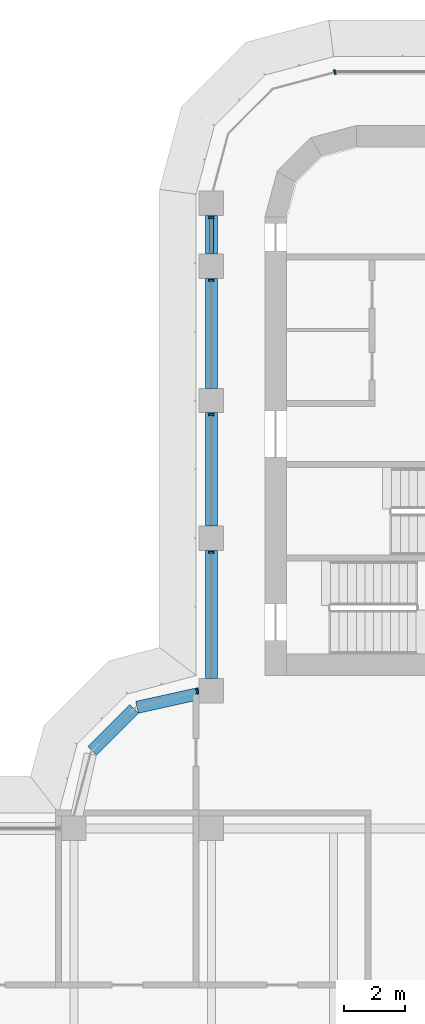
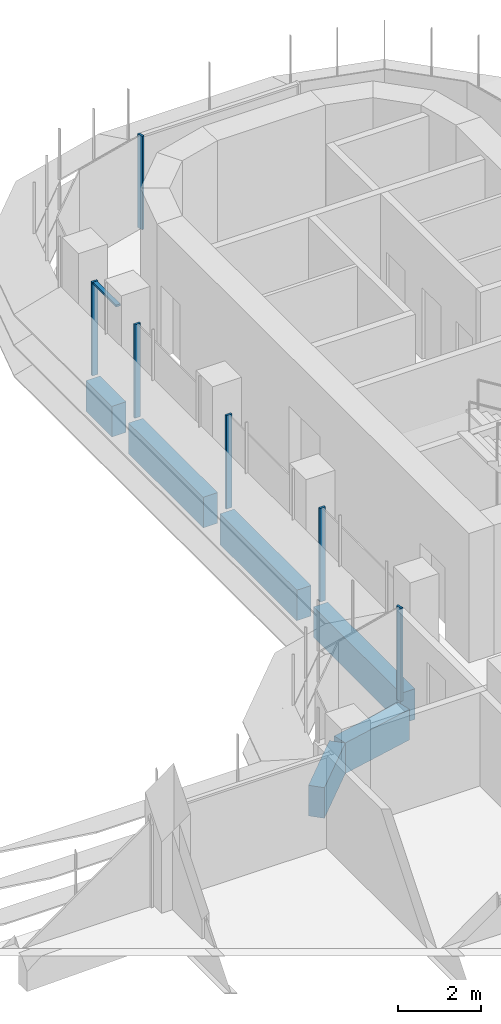
# One storey, part 7 of 20: 7 members, 6 beams, 3 elements without a shape of their own.
"""IFC4 building model written with IfcOpenShell, lengths in metres."""

from ifc_helpers import new_model, si_unit, direction, frame, origin, origin_2d, place, context, subcontext, project, spatial, polyline, rectangle, outline, extrude, source, transform, mapped, material, material_profile, profile_set, type_object, element, aggregate, save


model = new_model("IFC4")

# Units and contexts
model_context = context("Model", 3, precision=1e-05, world=origin(), true_north=direction((0.0, 1.0)))
body_context = subcontext(model_context, "Body", "Model", "MODEL_VIEW")
ifc_project = project(units=[si_unit("LENGTHUNIT", "METRE"), si_unit("AREAUNIT", "SQUARE_METRE"), si_unit("VOLUMEUNIT", "CUBIC_METRE"), si_unit("PLANEANGLEUNIT", "RADIAN"), si_unit("MASSUNIT", "GRAM", prefix="KILO")], contexts=[model_context])

# Site, building, storey
site_placement = place(None, origin())
site = spatial("IfcSite", under=ifc_project, at=site_placement, CompositionType="ELEMENT")
building_placement = place(site_placement, origin())
building = spatial("IfcBuilding", under=site, at=building_placement, Name="Zarbagh Exchange Tower", CompositionType="ELEMENT")
storey_placement = place(building_placement, frame((0.0, 0.0, 186.60009765625)))
storey = spatial("IfcBuildingStorey", under=building, at=storey_placement, Name="L45", CompositionType="ELEMENT", Elevation=186.60009765625)

# Beams
ifc_material_1 = material(Name="Concrete C50/60", Category="concrete")
ifc_material_profile = material_profile(ifc_material_1, rectangle(XDim=0.39990234375, YDim=0.89990234375, at=origin_2d()), Name="RC spandrel beam 400 x 900 C50/60")
ifc_profile_set = profile_set([ifc_material_profile], Name="Concrete C50/60")
beam_type = type_object("IfcBeamType", Name="RC spandrel beam 400 x 900 C50/60", PredefinedType="SPANDREL", material=ifc_profile_set)
beam_1_placement = place(storey_placement, frame((-10.15771484375, 8.782470703125, -0.60009765625), z_axis=(0.707106781187, 0.707106781187, 0.0), x_axis=(-0.707106781187, 0.707106781187, 0.0)))
element("IfcBeam", 1, at=beam_1_placement, inside=storey, type_object=beam_type, Name="RC spandrel beam", PredefinedType="SPANDREL", context=body_context, shape_type="SweptSolid", body=[
    extrude(rectangle(XDim=0.39990234375, YDim=0.89990234375, at=origin_2d()), origin(), (0.0, 0.0, 1.0), 1.94482421875),
])
beam_2_placement = place(storey_placement, frame((-8.68408203125, 10.21142578125, -0.60009765625), z_axis=(0.976384278741, 0.216041061437, 0.0), x_axis=(-0.216041061437, 0.976384278741, 0.0)))
element("IfcBeam", 2, at=beam_2_placement, inside=storey, type_object=beam_type, Name="RC spandrel beam", PredefinedType="SPANDREL", context=body_context, shape_type="SweptSolid", body=[
    extrude(rectangle(XDim=0.39990234375, YDim=0.89990234375, at=origin_2d()), origin(), (0.0, 0.0, 1.0), 2.0927734375),
])
beam_3_placement = place(storey_placement, frame((-6.25, 11.14990234375, -0.60009765625), z_axis=(0.0, 1.0, 0.0), x_axis=(-1.0, 0.0, 0.0)))
element("IfcBeam", 3, at=beam_3_placement, inside=storey, type_object=beam_type, Name="RC spandrel beam", PredefinedType="SPANDREL", context=body_context, shape_type="SweptSolid", body=[
    extrude(rectangle(XDim=0.39990234375, YDim=0.89990234375, at=origin_2d()), origin(), (0.0, 0.0, 1.0), 4.2001953125),
])
beam_4_placement = place(storey_placement, frame((-6.25, 16.14990234375, -0.60009765625), z_axis=(0.0, 1.0, 0.0), x_axis=(-1.0, 0.0, 0.0)))
element("IfcBeam", 4, at=beam_4_placement, inside=storey, type_object=beam_type, Name="RC spandrel beam", PredefinedType="SPANDREL", context=body_context, shape_type="SweptSolid", body=[
    extrude(rectangle(XDim=0.39990234375, YDim=0.89990234375, at=origin_2d()), origin(), (0.0, 0.0, 1.0), 3.7001953125),
])
beam_5_placement = place(storey_placement, frame((-6.25, 20.64990234375, -0.60009765625), z_axis=(0.0, 1.0, 0.0), x_axis=(-1.0, 0.0, 0.0)))
element("IfcBeam", 5, at=beam_5_placement, inside=storey, type_object=beam_type, Name="RC spandrel beam", PredefinedType="SPANDREL", context=body_context, shape_type="SweptSolid", body=[
    extrude(rectangle(XDim=0.39990234375, YDim=0.89990234375, at=origin_2d()), origin(), (0.0, 0.0, 1.0), 3.60009765625),
])
beam_6_placement = place(storey_placement, frame((-6.25, 25.050048828125, -0.60009765625), z_axis=(0.0, 1.0, 0.0), x_axis=(-1.0, 0.0, 0.0)))
element("IfcBeam", 6, at=beam_6_placement, inside=storey, type_object=beam_type, Name="RC spandrel beam", PredefinedType="SPANDREL", context=body_context, shape_type="SweptSolid", body=[
    extrude(rectangle(XDim=0.39990234375, YDim=0.89990234375, at=origin_2d()), origin(), (0.0, 0.0, 1.0), 1.25),
])

# Curtain wall, member
ifc_material_2 = material(Name="Anodised aluminium frame and glazing", Category="aluminium")
curtain_wall_type = type_object("IfcCurtainWallType", Name="CWB Ribbon glazing, upper zones", PredefinedType="NOTDEFINED", material=ifc_material_2)
curtain_wall_1_placement = place(storey_placement, origin())
curtain_wall_1 = element("IfcCurtainWall", 7, at=curtain_wall_1_placement, inside=storey, type_object=curtain_wall_type, Name="CWB25 curtain wall", PredefinedType="NOTDEFINED")
ifc_material_3 = material(Name="Anodised aluminium frame", Category="aluminium")
member_type_1 = type_object("IfcMemberType", Name="MUB Mullion, anodised aluminium frame", PredefinedType="MULLION", material=ifc_material_3)
shared_shape_1 = source(origin(), body_context, "Body", "SweptSolid", [
    extrude(outline(polyline([(0.0, -0.080078125), (0.06005859375, -0.080078125), (0.06005859375, 0.080078125), (0.0, 0.080078125), (0.0, -0.080078125)])), origin(), (0.0, 0.0, 1.0), 2.75),
])
placement = place(storey_placement, origin())
member_1 = element("IfcMember", 8, at=placement, type_object=member_type_1, Name="CWB25 mullion 1.1", PredefinedType="MULLION", context=body_context, shape_type="MappedRepresentation", body=[
    mapped(shared_shape_1, transform((-2.18408203125, 31.0, 0.0), x_axis=(-0.965924289636, -0.258824779902, 0.0), y_axis=(0.258824779902, -0.965924289636, 0.0), z_axis=(0.0, 0.0, 1.0))),
])
aggregate(curtain_wall_1, [member_1])

# Curtain wall, members
curtain_wall_2_placement = place(storey_placement, origin())
curtain_wall_2 = element("IfcCurtainWall", 9, at=curtain_wall_2_placement, inside=storey, type_object=curtain_wall_type, Name="CWB28 curtain wall", PredefinedType="NOTDEFINED")
member_2 = element("IfcMember", 10, at=placement, type_object=member_type_1, Name="CWB28 mullion 1.1", PredefinedType="MULLION", context=body_context, shape_type="MappedRepresentation", body=[
    mapped(shared_shape_1, transform((-6.25, 26.260009765625, 0.0), x_axis=(0.0, -1.0, 0.0), y_axis=(1.0, 0.0, 0.0), z_axis=(0.0, 0.0, 1.0))),
])
member_3 = element("IfcMember", 11, at=placement, type_object=member_type_1, Name="CWB28 mullion 2.1", PredefinedType="MULLION", context=body_context, shape_type="MappedRepresentation", body=[
    mapped(shared_shape_1, transform((-6.25, 24.2099609375, 0.0), x_axis=(0.0, -1.0, 0.0), y_axis=(1.0, 0.0, 0.0), z_axis=(0.0, 0.0, 1.0))),
])
member_4 = element("IfcMember", 12, at=placement, type_object=member_type_1, Name="CWB28 mullion 3.1", PredefinedType="MULLION", context=body_context, shape_type="MappedRepresentation", body=[
    mapped(shared_shape_1, transform((-6.25, 19.81005859375, 0.0), x_axis=(0.0, -1.0, 0.0), y_axis=(1.0, 0.0, 0.0), z_axis=(0.0, 0.0, 1.0))),
])
member_5 = element("IfcMember", 13, at=placement, type_object=member_type_1, Name="CWB28 mullion 4.1", PredefinedType="MULLION", context=body_context, shape_type="MappedRepresentation", body=[
    mapped(shared_shape_1, transform((-6.25, 15.31005859375, 0.0), x_axis=(0.0, -1.0, 0.0), y_axis=(1.0, 0.0, 0.0), z_axis=(0.0, 0.0, 1.0))),
])

# Curtain wall, member
curtain_wall_3_placement = place(storey_placement, origin())
curtain_wall_3 = element("IfcCurtainWall", 14, at=curtain_wall_3_placement, inside=storey, type_object=curtain_wall_type, Name="CWB29 curtain wall", PredefinedType="NOTDEFINED")
member_6 = element("IfcMember", 15, at=placement, type_object=member_type_1, Name="CWB29 mullion 1.1", PredefinedType="MULLION", context=body_context, shape_type="MappedRepresentation", body=[
    mapped(shared_shape_1, transform((-6.68994140625, 10.74853515625, 0.0), x_axis=(-0.965924289636, -0.258824779902, 0.0), y_axis=(0.258824779902, -0.965924289636, 0.0), z_axis=(0.0, 0.0, 1.0))),
])
aggregate(curtain_wall_3, [member_6])

# Member
member_type_2 = type_object("IfcMemberType", Name="TRB Transom, anodised aluminium frame", PredefinedType="USERDEFINED", material=ifc_material_3)
shared_shape_2 = source(origin(), body_context, "Body", "SweptSolid", [
    extrude(outline(polyline([(-0.06005859375, -0.06005859375), (0.0, -0.06005859375), (0.0, 0.06005859375), (-0.06005859375, 0.06005859375), (-0.06005859375, -0.06005859375)])), origin(), (0.0, 0.0, 1.0), 1.110107421875),
])
member_7 = element("IfcMember", 16, at=placement, type_object=member_type_2, Name="CWB28 transom 1.1", ObjectType="TRANSOM", PredefinedType="USERDEFINED", context=body_context, shape_type="MappedRepresentation", body=[
    mapped(shared_shape_2, transform((-6.25, 26.199951171875, 2.75), x_axis=(0.0, 0.0, 1.0), y_axis=(-1.0, 0.0, 0.0), z_axis=(0.0, -1.0, 0.0))),
])

aggregate(curtain_wall_2, [member_2, member_7, member_3, member_4, member_5])

save(model, "model.ifc")
